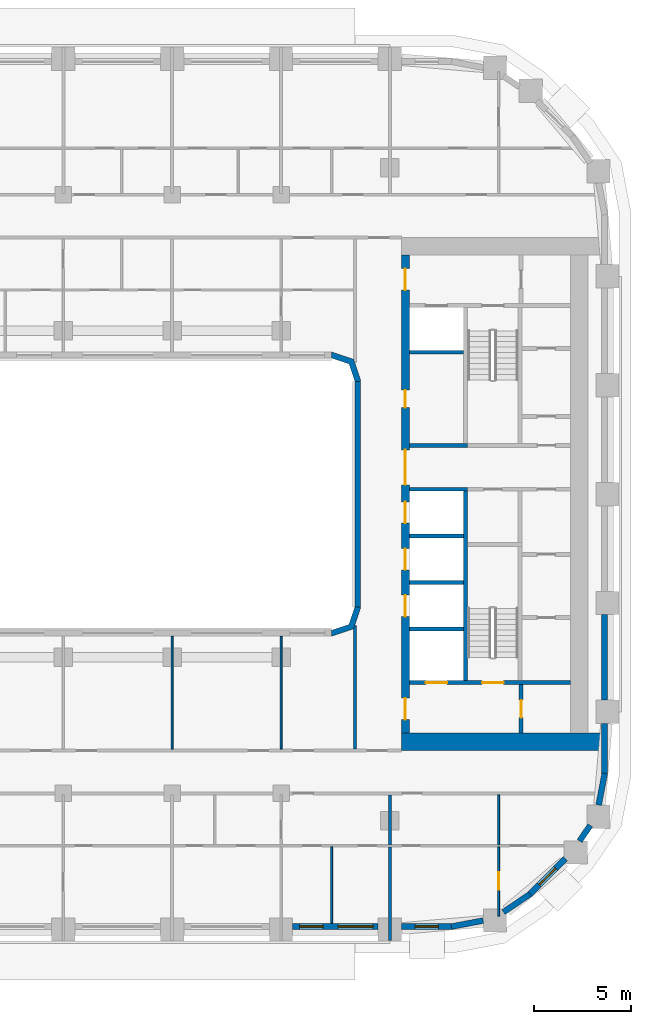
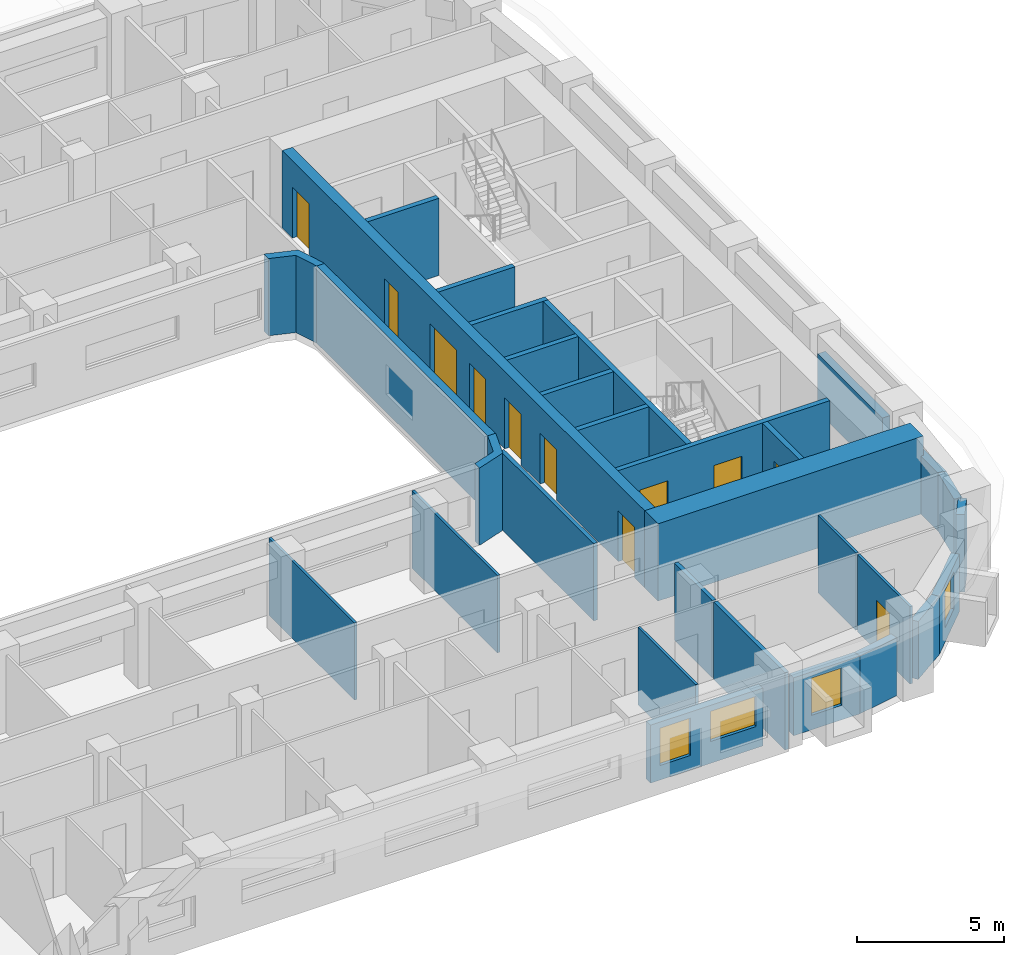
# One storey, part 6 of 22: 31 walls, 11 doors, 4 windows, 15 openings.
"""IFC4 building model written with IfcOpenShell, lengths in metres."""

import ifcopenshell
import ifcopenshell.guid

model = None  # the IFC model being written
_history = None  # IfcOwnerHistory: only IFC2X3 demands one
_inside = {}  # id of a spatial element -> (the spatial element, [elements in it])
_under = {}  # id of a project, library or spatial element -> (it, [spatial elements below it])
_declared = {}  # id of a project -> (the project, [libraries it declares])
_typed = {}  # id of a type object -> (the type object, [elements of that type])
_made_of = {}  # id of a material, layer set ... -> (it, [elements and type objects made of it])


def new_model(schema):
    """Start an empty IFC model of exactly this schema.

    Asked for "IFC4X3", IfcOpenShell would pick the latest addendum, in which some entities
    have other attributes; the version numbers below select the first issue.
    IFC2X3 requires an IfcOwnerHistory on every rooted entity: one is made here for all.
    """
    global model, _history
    if schema == "IFC4X3":
        model = ifcopenshell.file(schema_version=(4, 3, 0, 0))
    else:
        model = ifcopenshell.file(schema=schema)
    _inside.clear()
    _under.clear()
    _declared.clear()
    _typed.clear()
    _made_of.clear()
    _history = None
    if model.schema == "IFC2X3":
        org = make("IfcOrganization", Name="unknown")
        user = make(
            "IfcPersonAndOrganization",
            ThePerson=make("IfcPerson", FamilyName="unknown"),
            TheOrganization=org,
        )
        app = make(
            "IfcApplication",
            ApplicationDeveloper=org,
            Version="unknown",
            ApplicationFullName="unknown",
            ApplicationIdentifier="unknown",
        )
        _history = make(
            "IfcOwnerHistory",
            OwningUser=user,
            OwningApplication=app,
            ChangeAction="ADDED",
            CreationDate=0,
        )
    return model


def make(cls, **values):
    """One entity of the class cls with the attributes given. An attribute that is None is left unset."""
    return model.create_entity(
        cls, **{name: value for name, value in values.items() if value is not None}
    )


def rooted(cls, **values):
    """An entity with a GlobalId (a new one), such as an element, a storey or a relation."""
    return make(cls, GlobalId=ifcopenshell.guid.new(), OwnerHistory=_history, **values)


def si_unit(unit_type, name, prefix=None):
    """IfcSIUnit, for example si_unit("LENGTHUNIT", "METRE", prefix="MILLI")."""
    return make("IfcSIUnit", UnitType=unit_type, Prefix=prefix, Name=name)


def assignment(units):
    """IfcUnitAssignment: the units of a project."""
    return None if units is None else make("IfcUnitAssignment", Units=units)


def point(xyz):
    """IfcCartesianPoint."""
    return None if xyz is None else make("IfcCartesianPoint", Coordinates=xyz)


def direction(xyz):
    """IfcDirection."""
    return None if xyz is None else make("IfcDirection", DirectionRatios=xyz)


def frame(location, z_axis=None, x_axis=None):
    """IfcAxis2Placement3D, a coordinate frame: its origin and axes. An axis left out is left unset."""
    return make(
        "IfcAxis2Placement3D",
        Location=point(location),
        Axis=direction(z_axis),
        RefDirection=direction(x_axis),
    )


def frame_2d(location, x_axis=None):
    """IfcAxis2Placement2D, a coordinate frame in the plane: its origin and x axis."""
    return make(
        "IfcAxis2Placement2D", Location=point(location), RefDirection=direction(x_axis)
    )


def origin():
    """The frame at (0, 0, 0) with its axes left unset."""
    return frame((0.0, 0.0, 0.0))


def place(relative_to, where):
    """IfcLocalPlacement: puts the frame where relative to a parent placement (None: the world)."""
    return make(
        "IfcLocalPlacement", PlacementRelTo=relative_to, RelativePlacement=where
    )


def context(
    kind, dimensions, precision=None, world=None, true_north=None, identifier=None
):
    """IfcGeometricRepresentationContext, for example the 3D "Model" context."""
    return make(
        "IfcGeometricRepresentationContext",
        ContextIdentifier=identifier,
        ContextType=kind,
        CoordinateSpaceDimension=dimensions,
        Precision=precision,
        WorldCoordinateSystem=world,
        TrueNorth=true_north,
    )


def subcontext(parent, identifier, kind, view, scale=None):
    """IfcGeometricRepresentationSubContext, for example "Body" below "Model"."""
    return make(
        "IfcGeometricRepresentationSubContext",
        ContextIdentifier=identifier,
        ContextType=kind,
        ParentContext=parent,
        TargetScale=scale,
        TargetView=view,
    )


def project(units=None, contexts=None):
    """IfcProject with its units and contexts."""
    return rooted(
        "IfcProject",
        Name="project",
        RepresentationContexts=contexts,
        UnitsInContext=assignment(units),
    )


def spatial(cls, under=None, at=None, **own):
    """A site, building, storey or space (cls), placed at a placement, below another one or the project."""
    s = rooted(cls, ObjectPlacement=at, **own)
    if under is not None:
        _under.setdefault(under.id(), (under, []))[1].append(s)
    return s


def polyline(points):
    """IfcPolyline through the points."""
    return make("IfcPolyline", Points=[point(p) for p in points])


def profile(cls, at=None, kind="AREA", **sizes):
    """A parametric profile (cls). Its sizes go by their IFC names, for example OverallWidth=200.0."""
    return make(cls, ProfileType=kind, Position=at, **sizes)


def rectangle(**sizes):
    """IfcRectangleProfileDef."""
    return profile("IfcRectangleProfileDef", **sizes)


def outline(outer, holes=None, kind="AREA"):
    """IfcArbitraryClosedProfileDef: a profile drawn as a closed curve; with holes, ...WithVoids."""
    if holes is None:
        return make("IfcArbitraryClosedProfileDef", ProfileType=kind, OuterCurve=outer)
    return make(
        "IfcArbitraryProfileDefWithVoids",
        ProfileType=kind,
        OuterCurve=outer,
        InnerCurves=holes,
    )


def extrude(swept, where, along, depth):
    """IfcExtrudedAreaSolid: the profile swept, set in the frame where, extruded along a direction by depth."""
    return make(
        "IfcExtrudedAreaSolid",
        SweptArea=swept,
        Position=where,
        ExtrudedDirection=direction(along),
        Depth=depth,
    )


def shape(context_of_items, identifier, shape_type, items):
    """IfcShapeRepresentation: the items that make up one representation, for example the "Body"."""
    return make(
        "IfcShapeRepresentation",
        ContextOfItems=context_of_items,
        RepresentationIdentifier=identifier,
        RepresentationType=shape_type,
        Items=items,
    )


def material(Name=None, Category=None):
    """IfcMaterial."""
    return make("IfcMaterial", Name=Name, Category=Category)


def layer(
    of_material, thickness, ventilated=None, Name=None, Category=None, Priority=None
):
    """IfcMaterialLayer: one layer of a wall or slab, of a material (None: an air gap)."""
    return make(
        "IfcMaterialLayer",
        Material=of_material,
        LayerThickness=thickness,
        IsVentilated=ventilated,
        Name=Name,
        Category=Category,
        Priority=Priority,
    )


def layer_set(layers, Name=None):
    """IfcMaterialLayerSet."""
    return make("IfcMaterialLayerSet", MaterialLayers=layers, LayerSetName=Name)


def made_of(thing, what):
    """Note that an element or type object is made of a material, layer set ...; save() writes the relation."""
    if what is not None:
        _made_of.setdefault(what.id(), (what, []))[1].append(thing)
    return thing


def type_object(cls, material=None, **own):
    """A type object (cls), such as IfcWallType, which elements share."""
    return made_of(rooted(cls, **own), material)


def element(
    cls,
    number,
    at=None,
    inside=None,
    cuts=None,
    type_object=None,
    material=None,
    context=None,
    identifier="Body",
    shape_type=None,
    held_by="IfcProductDefinitionShape",
    body=None,
    shapes=None,
    **own,
):
    """One element of the class cls, such as IfcWall. Its Tag is "e" and its number.

    at: its placement. inside: the storey or other place that contains it. cuts: it is an
    opening in that element (IfcRelVoidsElement). A single representation is given by context,
    identifier, shape_type and body (its items); several are given by shapes. held_by: the class
    of the entity that holds the representations. save() writes the other relations.
    """
    e = rooted(cls, Tag="e%d" % number, ObjectPlacement=at, **own)
    if body is not None:
        shapes = [shape(context, identifier, shape_type, body)]
    if shapes is not None:
        e.Representation = make(held_by, Representations=shapes)
    if inside is not None:
        _inside.setdefault(inside.id(), (inside, []))[1].append(e)
    if cuts is not None:
        rooted(
            "IfcRelVoidsElement", RelatingBuildingElement=cuts, RelatedOpeningElement=e
        )
    if type_object is not None:
        _typed.setdefault(type_object.id(), (type_object, []))[1].append(e)
    return made_of(e, material)


def fill(opening, filler):
    """IfcRelFillsElement: the door or window that sits in an opening."""
    return rooted(
        "IfcRelFillsElement",
        RelatingOpeningElement=opening,
        RelatedBuildingElement=filler,
    )


def aggregate(whole, parts):
    """IfcRelAggregates: a whole, such as a stair, and the parts it consists of."""
    return rooted("IfcRelAggregates", RelatingObject=whole, RelatedObjects=parts)


def save(model, path):
    """Write the relations noted so far, then the file.

    IfcRelAggregates (storeys below a building ...), IfcRelContainedInSpatialStructure (elements
    in a storey), IfcRelDefinesByType, IfcRelAssociatesMaterial and IfcRelDeclares: one each for
    every whole, place, type object, material and project.
    """
    for whole, parts in _under.values():
        aggregate(whole, parts)
    for where, things in _inside.values():
        rooted(
            "IfcRelContainedInSpatialStructure",
            RelatedElements=things,
            RelatingStructure=where,
        )
    for kind, things in _typed.values():
        rooted("IfcRelDefinesByType", RelatedObjects=things, RelatingType=kind)
    for what, things in _made_of.values():
        rooted("IfcRelAssociatesMaterial", RelatedObjects=things, RelatingMaterial=what)
    for by, libraries in _declared.values():
        rooted("IfcRelDeclares", RelatingContext=by, RelatedDefinitions=libraries)
    model.write(path)


model = new_model("IFC4")

# Units and contexts
model_context = context("Model", 3, precision=1e-05, world=origin(), true_north=direction((0.0, 1.0)))
body_context = subcontext(model_context, "Body", "Model", "MODEL_VIEW")
ifc_project = project(units=[si_unit("LENGTHUNIT", "METRE"), si_unit("AREAUNIT", "SQUARE_METRE"), si_unit("VOLUMEUNIT", "CUBIC_METRE"), si_unit("PLANEANGLEUNIT", "RADIAN"), si_unit("MASSUNIT", "GRAM", prefix="KILO")], contexts=[model_context])

# Site, building, storey
site_placement = place(None, origin())
site = spatial("IfcSite", under=ifc_project, at=site_placement, CompositionType="ELEMENT")
building_placement = place(site_placement, origin())
building = spatial("IfcBuilding", under=site, at=building_placement, Name="Kiln Ring Residences", CompositionType="ELEMENT")
storey_placement = place(building_placement, frame((0.0, 0.0, 111.300048828125)))
storey = spatial("IfcBuildingStorey", under=building, at=storey_placement, Name="L28", CompositionType="ELEMENT", Elevation=111.300048828125)

# Wall, opening, door
ifc_material_1 = material(Name="Gypsum board on steel studs", Category="steel")
ifc_layer_1 = layer(ifc_material_1, 0.199951171875)
ifc_layer_set_1 = layer_set([ifc_layer_1], Name="CORE-PARTITION-200")
wall_type_1 = type_object("IfcWallType", Name="CORE-PARTITION-200", PredefinedType="PARTITIONING", material=ifc_layer_set_1)
wall_1_placement = place(storey_placement, frame((23.550048828125, -12.300048828125, 0.0), z_axis=(0.0, 0.0, 1.0), x_axis=(0.0, 1.0, 0.0)))
wall_1 = element("IfcWall", 1, at=wall_1_placement, inside=storey, type_object=wall_type_1, Name="Core partition east L28 4", PredefinedType="PARTITIONING", context=body_context, shape_type="SweptSolid", body=[
    extrude(rectangle(XDim=2.5, YDim=0.199951171875, at=frame_2d((1.25, 0.0))), origin(), (0.0, 0.0, 1.0), 3.199951171875),
])
opening_1_placement = place(wall_1_placement, frame((0.800048828125, 0.0, 0.0)))
opening_1 = element("IfcOpeningElement", 2, at=opening_1_placement, cuts=wall_1, Name="Opening L28-CE10", PredefinedType="OPENING", context=body_context, shape_type="SweptSolid", body=[
    extrude(rectangle(XDim=0.89990234375, YDim=2.10009765625, at=frame_2d((0.449951171875, 1.050048828125))), frame((0.0, 0.10986328125, 0.0), z_axis=(0.0, -1.0, 0.0), x_axis=(1.0, 0.0, 0.0)), (0.0, 0.0, 1.0), 0.219970703125),
])
ifc_material_2 = material(Name="Steel door leaf", Category="steel")
door_type_1 = type_object("IfcDoorType", Name="CORE-DOOR-ROOM", OperationType="SINGLE_SWING_LEFT", PredefinedType="DOOR", material=ifc_material_2)
door_1_placement = place(opening_1_placement, origin())
door_1 = element("IfcDoor", 3, at=door_1_placement, inside=storey, type_object=door_type_1, Name="Store L28-CE10", OperationType="SINGLE_SWING_LEFT", OverallHeight=2.10009765625, OverallWidth=0.89990234375, PredefinedType="DOOR", context=body_context, shape_type="SweptSolid", body=[
    extrude(rectangle(XDim=0.89990234375, YDim=2.10009765625, at=frame_2d((0.449951171875, 1.050048828125))), frame((0.0, 0.02490234375, 0.0), z_axis=(0.0, -1.0, 0.0), x_axis=(1.0, 0.0, 0.0)), (0.0, 0.0, 1.0), 0.050048828125),
])
fill(opening_1, door_1)

# Walls
ifc_material_3 = material(Name="Gypsum shaft wall system")
ifc_layer_2 = layer(ifc_material_3, 0.199951171875)
ifc_layer_set_2 = layer_set([ifc_layer_2], Name="CORE-SHAFT-WALL-200")
wall_type_2 = type_object("IfcWallType", Name="CORE-SHAFT-WALL-200", PredefinedType="PARTITIONING", material=ifc_layer_set_2)
for number, where, z_axis, x_axis, name in (
    (4, (17.800048828125, -6.949951171875, 0.0), (0.0, 0.0, 1.0), (1.0, 0.0, 0.0), "Core partition east L28 9"),
    (5, (17.800048828125, -4.550048828125, 0.0), (0.0, 0.0, 1.0), (1.0, 0.0, 0.0), "Core partition east L28 10"),
    (6, (17.800048828125, -2.14990234375, 0.0), (0.0, 0.0, 1.0), (1.0, 0.0, 0.0), "Core partition east L28 11"),
):
    element("IfcWall", number, at=place(storey_placement, frame(where, z_axis=z_axis, x_axis=x_axis)), inside=storey, type_object=wall_type_2, Name=name, PredefinedType="PARTITIONING", context=body_context, shape_type="SweptSolid", body=[
        extrude(rectangle(XDim=2.800048828125, YDim=0.199951171875, at=frame_2d((1.39990234375, 0.0))), origin(), (0.0, 0.0, 1.0), 3.199951171875),
    ])
for number, where, z_axis, x_axis, name in (
    (7, (17.800048828125, 0.25, 0.0), (0.0, 0.0, 1.0), (1.0, 0.0, 0.0), "Core partition east L28 12"),
    (8, (17.800048828125, 2.5, 0.0), (0.0, 0.0, 1.0), (1.0, 0.0, 0.0), "Core partition east L28 13"),
):
    element("IfcWall", number, at=place(storey_placement, frame(where, z_axis=z_axis, x_axis=x_axis)), inside=storey, type_object=wall_type_2, Name=name, PredefinedType="PARTITIONING", context=body_context, shape_type="SweptSolid", body=[
        extrude(rectangle(XDim=3.0, YDim=0.199951171875, at=frame_2d((1.5, 0.0))), origin(), (0.0, 0.0, 1.0), 3.199951171875),
    ])
wall_2_placement = place(storey_placement, frame((17.800048828125, 7.300048828125, 0.0), z_axis=(0.0, 0.0, 1.0), x_axis=(1.0, 0.0, 0.0)))
element("IfcWall", 9, at=wall_2_placement, inside=storey, type_object=wall_type_2, Name="Core partition east L28 14", PredefinedType="PARTITIONING", context=body_context, shape_type="SweptSolid", body=[
    extrude(rectangle(XDim=2.800048828125, YDim=0.199951171875, at=frame_2d((1.39990234375, 0.0))), origin(), (0.0, 0.0, 1.0), 3.199951171875),
])
ifc_material_4 = material(Name="Concrete C40/50", Category="concrete")
ifc_layer_3 = layer(ifc_material_4, 0.199951171875)
ifc_layer_set_3 = layer_set([ifc_layer_3], Name="CORE-WALL-RC200")
wall_type_3 = type_object("IfcWallType", Name="CORE-WALL-RC200", PredefinedType="SHEAR", material=ifc_layer_set_3)
wall_3_placement = place(storey_placement, frame((20.699951171875, -9.60009765625, 0.0), z_axis=(0.0, 0.0, 1.0), x_axis=(0.0, 1.0, 0.0)))
element("IfcWall", 10, at=wall_3_placement, inside=storey, type_object=wall_type_3, Name="Core wall east L28 2", PredefinedType="SHEAR", context=body_context, shape_type="SweptSolid", body=[
    extrude(rectangle(XDim=9.75, YDim=0.199951171875, at=frame_2d((4.875, 0.0))), origin(), (0.0, 0.0, 1.0), 3.199951171875),
])

# Wall, openings, doors
wall_4_placement = place(storey_placement, frame((17.800048828125, -9.699951171875, 0.0), z_axis=(0.0, 0.0, 1.0), x_axis=(1.0, 0.0, 0.0)))
wall_4 = element("IfcWall", 11, at=wall_4_placement, inside=storey, type_object=wall_type_3, Name="Core wall east L28 8", PredefinedType="SHEAR", context=body_context, shape_type="SweptSolid", body=[
    extrude(rectangle(XDim=8.300048828125, YDim=0.199951171875, at=frame_2d((4.14990234375, 0.0))), origin(), (0.0, 0.0, 1.0), 3.199951171875),
])
opening_2_placement = place(wall_4_placement, frame((0.85009765625, 0.0, 0.0)))
opening_2 = element("IfcOpeningElement", 12, at=opening_2_placement, cuts=wall_4, Name="Opening L28-CE01", PredefinedType="OPENING", context=body_context, shape_type="SweptSolid", body=[
    extrude(rectangle(XDim=1.10009765625, YDim=2.10009765625, at=frame_2d((0.550048828125, 1.050048828125))), frame((0.0, 0.10986328125, 0.0), z_axis=(0.0, -1.0, 0.0), x_axis=(1.0, 0.0, 0.0)), (0.0, 0.0, 1.0), 0.219970703125),
])
opening_3_placement = place(wall_4_placement, frame((3.75, 0.0, 0.0)))
opening_3 = element("IfcOpeningElement", 13, at=opening_3_placement, cuts=wall_4, Name="Opening L28-CE12", PredefinedType="OPENING", context=body_context, shape_type="SweptSolid", body=[
    extrude(rectangle(XDim=1.10009765625, YDim=2.10009765625, at=frame_2d((0.550048828125, 1.050048828125))), frame((0.0, 0.10986328125, 0.0), z_axis=(0.0, -1.0, 0.0), x_axis=(1.0, 0.0, 0.0)), (0.0, 0.0, 1.0), 0.219970703125),
])
ifc_material_5 = material(Name="Steel door leaf", Category="steel")
door_type_2 = type_object("IfcDoorType", Name="CORE-DOOR-LD", OperationType="DOUBLE_DOOR_SLIDING", PredefinedType="DOOR", material=ifc_material_5)
door_2_placement = place(opening_2_placement, origin())
door_2 = element("IfcDoor", 14, at=door_2_placement, inside=storey, type_object=door_type_2, Name="LD E-SV L28-CE01", OperationType="DOUBLE_DOOR_SLIDING", OverallHeight=2.10009765625, OverallWidth=1.10009765625, PredefinedType="DOOR", context=body_context, shape_type="SweptSolid", body=[
    extrude(rectangle(XDim=1.10009765625, YDim=2.10009765625, at=frame_2d((0.550048828125, 1.050048828125))), frame((0.0, 0.02490234375, 0.0), z_axis=(0.0, -1.0, 0.0), x_axis=(1.0, 0.0, 0.0)), (0.0, 0.0, 1.0), 0.050048828125),
])
fill(opening_2, door_2)
ifc_material_6 = material(Name="Steel door leaf", Category="steel")
door_type_3 = type_object("IfcDoorType", Name="CORE-DOOR-STAIR", OperationType="SINGLE_SWING_LEFT", PredefinedType="DOOR", material=ifc_material_6)
door_3_placement = place(opening_3_placement, origin())
door_3 = element("IfcDoor", 15, at=door_3_placement, inside=storey, type_object=door_type_3, Name="Stair E-STS L28-CE12", OperationType="SINGLE_SWING_RIGHT", OverallHeight=2.10009765625, OverallWidth=1.10009765625, PredefinedType="DOOR", context=body_context, shape_type="SweptSolid", body=[
    extrude(rectangle(XDim=1.10009765625, YDim=2.10009765625, at=frame_2d((0.550048828125, 1.050048828125))), frame((0.0, 0.02490234375, 0.0), z_axis=(0.0, -1.0, 0.0), x_axis=(1.0, 0.0, 0.0)), (0.0, 0.0, 1.0), 0.050048828125),
])
fill(opening_3, door_3)

ifc_material_7 = material(Name="Concrete C60/75", Category="concrete")
ifc_layer_4 = layer(ifc_material_7, 0.39990234375)
ifc_layer_set_4 = layer_set([ifc_layer_4], Name="CORE-WALL-RC400")
wall_type_4 = type_object("IfcWallType", Name="CORE-WALL-RC400", PredefinedType="SHEAR", material=ifc_layer_set_4)
wall_5_placement = place(storey_placement, frame((17.60009765625, -12.300048828125, 0.0), z_axis=(0.0, 0.0, 1.0), x_axis=(0.0, 1.0, 0.0)))
wall_5 = element("IfcWall", 16, at=wall_5_placement, inside=storey, type_object=wall_type_4, Name="Core wall east L28 6", PredefinedType="SHEAR", context=body_context, shape_type="SweptSolid", body=[
    extrude(rectangle(XDim=24.60009765625, YDim=0.39990234375, at=frame_2d((12.300048828125, 0.0))), origin(), (0.0, 0.0, 1.0), 3.199951171875),
])
opening_4_placement = place(wall_5_placement, frame((6.0, 0.0, 0.0)))
opening_4 = element("IfcOpeningElement", 17, at=opening_4_placement, cuts=wall_5, Name="Opening L28-CE02", PredefinedType="OPENING", context=body_context, shape_type="SweptSolid", body=[
    extrude(rectangle(XDim=1.10009765625, YDim=2.10009765625, at=frame_2d((0.550048828125, 1.050048828125))), frame((0.0, 0.2099609375, 0.0), z_axis=(0.0, -1.0, 0.0), x_axis=(1.0, 0.0, 0.0)), (0.0, 0.0, 1.0), 0.419921875),
])
opening_5_placement = place(wall_5_placement, frame((8.39990234375, 0.0, 0.0)))
opening_5 = element("IfcOpeningElement", 18, at=opening_5_placement, cuts=wall_5, Name="Opening L28-CE03", PredefinedType="OPENING", context=body_context, shape_type="SweptSolid", body=[
    extrude(rectangle(XDim=1.10009765625, YDim=2.10009765625, at=frame_2d((0.550048828125, 1.050048828125))), frame((0.0, 0.2099609375, 0.0), z_axis=(0.0, -1.0, 0.0), x_axis=(1.0, 0.0, 0.0)), (0.0, 0.0, 1.0), 0.419921875),
])
opening_6_placement = place(wall_5_placement, frame((10.800048828125, 0.0, 0.0)))
opening_6 = element("IfcOpeningElement", 19, at=opening_6_placement, cuts=wall_5, Name="Opening L28-CE04", PredefinedType="OPENING", context=body_context, shape_type="SweptSolid", body=[
    extrude(rectangle(XDim=1.10009765625, YDim=2.10009765625, at=frame_2d((0.550048828125, 1.050048828125))), frame((0.0, 0.2099609375, 0.0), z_axis=(0.0, -1.0, 0.0), x_axis=(1.0, 0.0, 0.0)), (0.0, 0.0, 1.0), 0.419921875),
])
opening_7_placement = place(wall_5_placement, frame((16.75, 0.0, 0.0)))
opening_7 = element("IfcOpeningElement", 20, at=opening_7_placement, cuts=wall_5, Name="Opening L28-CE05", PredefinedType="OPENING", context=body_context, shape_type="SweptSolid", body=[
    extrude(rectangle(XDim=0.89990234375, YDim=2.10009765625, at=frame_2d((0.449951171875, 1.050048828125))), frame((0.0, 0.2099609375, 0.0), z_axis=(0.0, -1.0, 0.0), x_axis=(1.0, 0.0, 0.0)), (0.0, 0.0, 1.0), 0.419921875),
])
opening_8_placement = place(wall_5_placement, frame((22.800048828125, 0.0, 0.0)))
opening_8 = element("IfcOpeningElement", 21, at=opening_8_placement, cuts=wall_5, Name="Opening L28-CE07", PredefinedType="OPENING", context=body_context, shape_type="SweptSolid", body=[
    extrude(rectangle(XDim=1.10009765625, YDim=2.10009765625, at=frame_2d((0.550048828125, 1.050048828125))), frame((0.0, 0.2099609375, 0.0), z_axis=(0.0, -1.0, 0.0), x_axis=(1.0, 0.0, 0.0)), (0.0, 0.0, 1.0), 0.419921875),
])
opening_9_placement = place(wall_5_placement, frame((0.699951171875, 0.0, 0.0)))
opening_9 = element("IfcOpeningElement", 22, at=opening_9_placement, cuts=wall_5, Name="Opening L28-CE08", PredefinedType="OPENING", context=body_context, shape_type="SweptSolid", body=[
    extrude(rectangle(XDim=1.10009765625, YDim=2.10009765625, at=frame_2d((0.550048828125, 1.050048828125))), frame((0.0, 0.2099609375, 0.0), z_axis=(0.0, -1.0, 0.0), x_axis=(1.0, 0.0, 0.0)), (0.0, 0.0, 1.0), 0.419921875),
])
opening_10_placement = place(wall_5_placement, frame((12.77490234375, 0.0, 0.0)))
opening_10 = element("IfcOpeningElement", 23, at=opening_10_placement, cuts=wall_5, Name="Opening L28-CE13", PredefinedType="OPENING", context=body_context, shape_type="SweptSolid", body=[
    extrude(rectangle(XDim=1.800048828125, YDim=2.10009765625, at=frame_2d((0.89990234375, 1.050048828125))), frame((0.0, 0.2099609375, 0.0), z_axis=(0.0, -1.0, 0.0), x_axis=(1.0, 0.0, 0.0)), (0.0, 0.0, 1.0), 0.419921875),
])
door_4_placement = place(opening_4_placement, origin())
door_4 = element("IfcDoor", 24, at=door_4_placement, inside=storey, type_object=door_type_2, Name="LD E-L1 L28-CE02", OperationType="DOUBLE_DOOR_SLIDING", OverallHeight=2.10009765625, OverallWidth=1.10009765625, PredefinedType="DOOR", context=body_context, shape_type="SweptSolid", body=[
    extrude(rectangle(XDim=1.10009765625, YDim=2.10009765625, at=frame_2d((0.550048828125, 1.050048828125))), frame((0.0, 0.02490234375, 0.0), z_axis=(0.0, -1.0, 0.0), x_axis=(1.0, 0.0, 0.0)), (0.0, 0.0, 1.0), 0.050048828125),
])
fill(opening_4, door_4)
door_5_placement = place(opening_5_placement, origin())
door_5 = element("IfcDoor", 25, at=door_5_placement, inside=storey, type_object=door_type_2, Name="LD E-L2 L28-CE03", OperationType="DOUBLE_DOOR_SLIDING", OverallHeight=2.10009765625, OverallWidth=1.10009765625, PredefinedType="DOOR", context=body_context, shape_type="SweptSolid", body=[
    extrude(rectangle(XDim=1.10009765625, YDim=2.10009765625, at=frame_2d((0.550048828125, 1.050048828125))), frame((0.0, 0.02490234375, 0.0), z_axis=(0.0, -1.0, 0.0), x_axis=(1.0, 0.0, 0.0)), (0.0, 0.0, 1.0), 0.050048828125),
])
fill(opening_5, door_5)
door_6_placement = place(opening_6_placement, origin())
door_6 = element("IfcDoor", 26, at=door_6_placement, inside=storey, type_object=door_type_2, Name="LD E-L3 L28-CE04", OperationType="DOUBLE_DOOR_SLIDING", OverallHeight=2.10009765625, OverallWidth=1.10009765625, PredefinedType="DOOR", context=body_context, shape_type="SweptSolid", body=[
    extrude(rectangle(XDim=1.10009765625, YDim=2.10009765625, at=frame_2d((0.550048828125, 1.050048828125))), frame((0.0, 0.02490234375, 0.0), z_axis=(0.0, -1.0, 0.0), x_axis=(1.0, 0.0, 0.0)), (0.0, 0.0, 1.0), 0.050048828125),
])
fill(opening_6, door_6)
ifc_material_8 = material(Name="Steel door leaf", Category="steel")
door_type_4 = type_object("IfcDoorType", Name="CORE-DOOR-LOBBY", OperationType="SINGLE_SWING_LEFT", PredefinedType="DOOR", material=ifc_material_8)
door_7_placement = place(opening_8_placement, origin())
door_7 = element("IfcDoor", 27, at=door_7_placement, inside=storey, type_object=door_type_4, Name="FFL L28-CE07", OperationType="SINGLE_SWING_LEFT", OverallHeight=2.10009765625, OverallWidth=1.10009765625, PredefinedType="DOOR", context=body_context, shape_type="SweptSolid", body=[
    extrude(rectangle(XDim=1.10009765625, YDim=2.10009765625, at=frame_2d((0.550048828125, 1.050048828125))), frame((0.0, 0.02490234375, 0.0), z_axis=(0.0, -1.0, 0.0), x_axis=(1.0, 0.0, 0.0)), (0.0, 0.0, 1.0), 0.050048828125),
])
fill(opening_8, door_7)
door_8_placement = place(opening_9_placement, origin())
door_8 = element("IfcDoor", 28, at=door_8_placement, inside=storey, type_object=door_type_4, Name="SVL L28-CE08", OperationType="SINGLE_SWING_RIGHT", OverallHeight=2.10009765625, OverallWidth=1.10009765625, PredefinedType="DOOR", context=body_context, shape_type="SweptSolid", body=[
    extrude(rectangle(XDim=1.10009765625, YDim=2.10009765625, at=frame_2d((0.550048828125, 1.050048828125))), frame((0.0, 0.02490234375, 0.0), z_axis=(0.0, -1.0, 0.0), x_axis=(1.0, 0.0, 0.0)), (0.0, 0.0, 1.0), 0.050048828125),
])
fill(opening_9, door_8)
ifc_material_9 = material(Name="Steel door leaf", Category="steel")
door_type_5 = type_object("IfcDoorType", Name="CORE-DOOR-PASS", OperationType="DOUBLE_DOOR_SINGLE_SWING", PredefinedType="DOOR", material=ifc_material_9)
door_9_placement = place(opening_10_placement, origin())
door_9 = element("IfcDoor", 29, at=door_9_placement, inside=storey, type_object=door_type_5, Name="Core passage L28-CE13", OperationType="DOUBLE_DOOR_SINGLE_SWING", OverallHeight=2.10009765625, OverallWidth=1.800048828125, PredefinedType="DOOR", context=body_context, shape_type="SweptSolid", body=[
    extrude(rectangle(XDim=1.800048828125, YDim=2.10009765625, at=frame_2d((0.89990234375, 1.050048828125))), frame((0.0, 0.02490234375, 0.0), z_axis=(0.0, -1.0, 0.0), x_axis=(1.0, 0.0, 0.0)), (0.0, 0.0, 1.0), 0.050048828125),
])
fill(opening_10, door_9)
door_10_placement = place(opening_7_placement, origin())
door_10 = element("IfcDoor", 30, at=door_10_placement, inside=storey, type_object=door_type_1, Name="Housekeeping store L28-CE05", OperationType="SINGLE_SWING_RIGHT", OverallHeight=2.10009765625, OverallWidth=0.89990234375, PredefinedType="DOOR", context=body_context, shape_type="SweptSolid", body=[
    extrude(rectangle(XDim=0.89990234375, YDim=2.10009765625, at=frame_2d((0.449951171875, 1.050048828125))), frame((0.0, 0.02490234375, 0.0), z_axis=(0.0, -1.0, 0.0), x_axis=(1.0, 0.0, 0.0)), (0.0, 0.0, 1.0), 0.050048828125),
])
fill(opening_7, door_10)

# Wall
ifc_material_10 = material(Name="Concrete C60/75", Category="concrete")
ifc_layer_5 = layer(ifc_material_10, 0.89990234375)
ifc_layer_set_5 = layer_set([ifc_layer_5], Name="CORE-WALL-RC900")
wall_type_5 = type_object("IfcWallType", Name="CORE-WALL-RC900", PredefinedType="SHEAR", material=ifc_layer_set_5)
wall_6_placement = place(storey_placement, frame((17.39990234375, -12.75, 0.0), z_axis=(0.0, 0.0, 1.0), x_axis=(1.0, 0.0, 0.0)))
element("IfcWall", 31, at=wall_6_placement, inside=storey, type_object=wall_type_5, Name="Core wall east L28 5", PredefinedType="SHEAR", context=body_context, shape_type="SweptSolid", body=[
    extrude(rectangle(XDim=10.400146484375, YDim=0.89990234375, at=frame_2d((5.2001953125, 0.0))), origin(), (0.0, 0.0, 1.0), 3.199951171875),
])

# Wall, openings, windows
ifc_material_11 = material(Name="Brick masonry, dark clay brick", Category="masonry")
ifc_layer_6 = layer(ifc_material_11, 0.300048828125)
ifc_layer_set_6 = layer_set([ifc_layer_6], Name="EW-300 BRICK WALL")
wall_type_6 = type_object("IfcWallType", Name="EW-300 BRICK WALL", PredefinedType="SOLIDWALL", material=ifc_layer_set_6)
wall_7_placement = place(storey_placement, frame((11.800048828125, -22.25, 0.0), z_axis=(0.0, 0.0, 1.0), x_axis=(1.0, 0.0, 0.0)))
wall_7 = element("IfcWall", 32, at=wall_7_placement, inside=storey, type_object=wall_type_6, Name="Facade wall L28 10", PredefinedType="SOLIDWALL", context=body_context, shape_type="SweptSolid", body=[
    extrude(rectangle(XDim=4.39990234375, YDim=0.300048828125, at=frame_2d((2.199951171875, 0.0))), origin(), (0.0, 0.0, 1.0), 2.39990234375),
])
opening_11_placement = place(wall_7_placement, frame((0.362548828125, 0.0, 0.60009765625)))
opening_11 = element("IfcOpeningElement", 33, at=opening_11_placement, cuts=wall_7, Name="Opening W1", PredefinedType="OPENING", context=body_context, shape_type="SweptSolid", body=[
    extrude(rectangle(XDim=1.199951171875, YDim=1.550048828125, at=frame_2d((0.60009765625, 0.77490234375))), frame((0.0, 0.159912109375, 0.0), z_axis=(0.0, -1.0, 0.0), x_axis=(1.0, 0.0, 0.0)), (0.0, 0.0, 1.0), 0.320068359375),
])
opening_12_placement = place(wall_7_placement, frame((2.33740234375, 0.0, 0.89990234375)))
opening_12 = element("IfcOpeningElement", 34, at=opening_12_placement, cuts=wall_7, Name="Opening W2", PredefinedType="OPENING", context=body_context, shape_type="SweptSolid", body=[
    extrude(rectangle(XDim=1.800048828125, YDim=1.25, at=frame_2d((0.89990234375, 0.625))), frame((0.0, 0.159912109375, 0.0), z_axis=(0.0, -1.0, 0.0), x_axis=(1.0, 0.0, 0.0)), (0.0, 0.0, 1.0), 0.320068359375),
])
ifc_material_12 = material(Name="Aluminium frame with double glazing", Category="aluminium")
window_type_1 = type_object("IfcWindowType", Name="WINDOW 1200 x 1550", PartitioningType="SINGLE_PANEL", PredefinedType="WINDOW", material=ifc_material_12)
window_1_placement = place(opening_11_placement, origin())
window_1 = element("IfcWindow", 35, at=window_1_placement, inside=storey, type_object=window_type_1, Name="Window L28 9", OverallHeight=1.550048828125, OverallWidth=1.199951171875, PartitioningType="SINGLE_PANEL", PredefinedType="WINDOW", context=body_context, shape_type="SweptSolid", body=[
    extrude(rectangle(XDim=1.199951171875, YDim=1.550048828125, at=frame_2d((0.60009765625, 0.77490234375))), frame((0.0, 0.030029296875, 0.0), z_axis=(0.0, -1.0, 0.0), x_axis=(1.0, 0.0, 0.0)), (0.0, 0.0, 1.0), 0.06005859375),
])
fill(opening_11, window_1)
ifc_material_13 = material(Name="Aluminium frame with double glazing", Category="aluminium")
window_type_2 = type_object("IfcWindowType", Name="WINDOW 1800 x 1250", PartitioningType="SINGLE_PANEL", PredefinedType="WINDOW", material=ifc_material_13)
window_2_placement = place(opening_12_placement, origin())
window_2 = element("IfcWindow", 36, at=window_2_placement, inside=storey, type_object=window_type_2, Name="Window L28 10", OverallHeight=1.25, OverallWidth=1.800048828125, PartitioningType="SINGLE_PANEL", PredefinedType="WINDOW", context=body_context, shape_type="SweptSolid", body=[
    extrude(rectangle(XDim=1.800048828125, YDim=1.25, at=frame_2d((0.89990234375, 0.625))), frame((0.0, 0.030029296875, 0.0), z_axis=(0.0, -1.0, 0.0), x_axis=(1.0, 0.0, 0.0)), (0.0, 0.0, 1.0), 0.06005859375),
])
fill(opening_12, window_2)

# Wall, opening, window
wall_8_placement = place(storey_placement, frame((17.39990234375, -22.25, 0.0), z_axis=(0.0, 0.0, 1.0), x_axis=(1.0, 0.0, 0.0)))
wall_8 = element("IfcWall", 37, at=wall_8_placement, inside=storey, type_object=wall_type_6, Name="Facade wall L28 11", PredefinedType="SOLIDWALL", context=body_context, shape_type="SweptSolid", body=[
    extrude(rectangle(XDim=2.60009765625, YDim=0.300048828125, at=frame_2d((1.300048828125, 0.0))), origin(), (0.0, 0.0, 1.0), 2.39990234375),
])
opening_13_placement = place(wall_8_placement, frame((0.699951171875, 0.0, 0.60009765625)))
opening_13 = element("IfcOpeningElement", 38, at=opening_13_placement, cuts=wall_8, Name="Opening W1", PredefinedType="OPENING", context=body_context, shape_type="SweptSolid", body=[
    extrude(rectangle(XDim=1.199951171875, YDim=1.550048828125, at=frame_2d((0.60009765625, 0.77490234375))), frame((0.0, 0.159912109375, 0.0), z_axis=(0.0, -1.0, 0.0), x_axis=(1.0, 0.0, 0.0)), (0.0, 0.0, 1.0), 0.320068359375),
])
window_3_placement = place(opening_13_placement, origin())
window_3 = element("IfcWindow", 39, at=window_3_placement, inside=storey, type_object=window_type_1, Name="Window L28 11", OverallHeight=1.550048828125, OverallWidth=1.199951171875, PartitioningType="SINGLE_PANEL", PredefinedType="WINDOW", context=body_context, shape_type="SweptSolid", body=[
    extrude(rectangle(XDim=1.199951171875, YDim=1.550048828125, at=frame_2d((0.60009765625, 0.77490234375))), frame((0.0, 0.030029296875, 0.0), z_axis=(0.0, -1.0, 0.0), x_axis=(1.0, 0.0, 0.0)), (0.0, 0.0, 1.0), 0.06005859375),
])
fill(opening_13, window_3)

# Walls
for number, where, z_axis, x_axis, name in (
    (40, (19.971923828125, -22.252685546875, 0.0), (0.0, 0.0, 1.0), (0.98228820662, 0.187376303559, 0.0), "Facade wall L28 12"),
    (41, (22.64306640625, -21.509765625, 0.0), (0.0, 0.0, 1.0), (0.827049873329, 0.562128550268, 0.0), "Facade wall L28 13"),
):
    element("IfcWall", number, at=place(storey_placement, frame(where, z_axis=z_axis, x_axis=x_axis)), inside=storey, type_object=wall_type_6, Name=name, PredefinedType="SOLIDWALL", context=body_context, shape_type="SweptSolid", body=[
        extrude(rectangle(XDim=1.656005859375, YDim=0.300048828125, at=frame_2d((0.828125, 0.0))), origin(), (0.0, 0.0, 1.0), 2.39990234375),
    ])

# Wall, opening, window
wall_9_placement = place(storey_placement, frame((23.990966796875, -20.596923828125, 0.0), z_axis=(0.0, 0.0, 1.0), x_axis=(0.707106781187, 0.707106781187, 0.0)))
wall_9 = element("IfcWall", 42, at=wall_9_placement, inside=storey, type_object=wall_type_6, Name="Facade wall L28 14", PredefinedType="SOLIDWALL", context=body_context, shape_type="SweptSolid", body=[
    extrude(rectangle(XDim=2.60009765625, YDim=0.300048828125, at=frame_2d((1.300048828125, 0.0))), origin(), (0.0, 0.0, 1.0), 2.39990234375),
])
opening_14_placement = place(wall_9_placement, frame((0.699951171875, 0.0, 0.60009765625)))
opening_14 = element("IfcOpeningElement", 43, at=opening_14_placement, cuts=wall_9, Name="Opening W1", PredefinedType="OPENING", context=body_context, shape_type="SweptSolid", body=[
    extrude(rectangle(XDim=1.199951171875, YDim=1.550048828125, at=frame_2d((0.60009765625, 0.77490234375))), frame((0.0, 0.159912109375, 0.0), z_axis=(0.0, -1.0, 0.0), x_axis=(1.0, 0.0, 0.0)), (0.0, 0.0, 1.0), 0.320068359375),
])
window_4_placement = place(opening_14_placement, origin())
window_4 = element("IfcWindow", 44, at=window_4_placement, inside=storey, type_object=window_type_1, Name="Window L28 12", OverallHeight=1.550048828125, OverallWidth=1.199951171875, PartitioningType="SINGLE_PANEL", PredefinedType="WINDOW", context=body_context, shape_type="SweptSolid", body=[
    extrude(rectangle(XDim=1.199951171875, YDim=1.550048828125, at=frame_2d((0.60009765625, 0.77490234375))), frame((0.0, 0.030029296875, 0.0), z_axis=(0.0, -1.0, 0.0), x_axis=(1.0, 0.0, 0.0)), (0.0, 0.0, 1.0), 0.06005859375),
])
fill(opening_14, window_4)

# Walls
wall_10_placement = place(storey_placement, frame((26.560546875, -17.85107421875, 0.0), z_axis=(0.0, 0.0, 1.0), x_axis=(0.562173331661, 0.827019434577, 0.0)))
element("IfcWall", 45, at=wall_10_placement, inside=storey, type_object=wall_type_6, Name="Facade wall L28 15", PredefinedType="SOLIDWALL", context=body_context, shape_type="SweptSolid", body=[
    extrude(rectangle(XDim=0.97705078125, YDim=0.300048828125, at=frame_2d((0.488525390625, 0.0))), origin(), (0.0, 0.0, 1.0), 3.199951171875),
])
wall_11_placement = place(storey_placement, frame((27.542236328125, -15.998779296875, 0.0), z_axis=(0.0, 0.0, 1.0), x_axis=(0.187349172861, 0.982293381546, 0.0)))
element("IfcWall", 46, at=wall_11_placement, inside=storey, type_object=wall_type_6, Name="Facade wall L28 16", PredefinedType="SOLIDWALL", context=body_context, shape_type="SweptSolid", body=[
    extrude(rectangle(XDim=1.65625, YDim=0.300048828125, at=frame_2d((0.828125, 0.0))), origin(), (0.0, 0.0, 1.0), 2.39990234375),
])
wall_12_placement = place(storey_placement, frame((27.85009765625, -14.39990234375, 0.0), z_axis=(0.0, 0.0, 1.0), x_axis=(0.0, 1.0, 0.0)))
element("IfcWall", 47, at=wall_12_placement, inside=storey, type_object=wall_type_6, Name="Facade wall L28 17", PredefinedType="SOLIDWALL", context=body_context, shape_type="SweptSolid", body=[
    extrude(rectangle(XDim=2.599853515625, YDim=0.300048828125, at=frame_2d((1.2998046875, 0.0))), origin(), (0.0, 0.0, 1.0), 2.39990234375),
])
wall_13_placement = place(storey_placement, frame((27.85009765625, -10.60009765625, 0.0), z_axis=(0.0, 0.0, 1.0), x_axis=(0.0, 1.0, 0.0)))
element("IfcWall", 48, at=wall_13_placement, inside=storey, type_object=wall_type_6, Name="Facade wall L28 18", PredefinedType="SOLIDWALL", context=body_context, shape_type="SweptSolid", body=[
    extrude(rectangle(XDim=4.400146484375, YDim=0.300048828125, at=frame_2d((2.2001953125, 0.0))), origin(), (0.0, 0.0, 1.0), 2.39990234375),
])
wall_14_placement = place(storey_placement, frame((15.14990234375, 5.800048828125, 0.0), z_axis=(0.0, 0.0, 1.0), x_axis=(0.0, -1.0, 0.0)))
element("IfcWall", 49, at=wall_14_placement, inside=storey, type_object=wall_type_6, Name="Facade wall L28 51", PredefinedType="SOLIDWALL", context=body_context, shape_type="SweptSolid", body=[
    extrude(rectangle(XDim=11.60009765625, YDim=0.300048828125, at=frame_2d((5.800048828125, 0.0))), origin(), (0.0, 0.0, 1.0), 3.199951171875),
])
placement = place(storey_placement, origin())
element("IfcWall", 50, at=placement, inside=storey, type_object=wall_type_6, Name="Corner wall L28 2", PredefinedType="SOLIDWALL", context=body_context, shape_type="SweptSolid", body=[
    extrude(outline(polyline([(14.937255859375, 6.937255859375), (13.8486328125, 7.300048828125), (13.800048828125, 7.300048828125), (13.800048828125, 7.0), (14.699951171875, 6.699951171875), (15.0, 5.800048828125), (15.300048828125, 5.800048828125), (15.300048828125, 5.8486328125), (14.937255859375, 6.937255859375)])), origin(), (0.0, 0.0, 1.0), 3.199951171875),
])
element("IfcWall", 51, at=placement, inside=storey, type_object=wall_type_6, Name="Corner wall L28 3", PredefinedType="SOLIDWALL", context=body_context, shape_type="SweptSolid", body=[
    extrude(outline(polyline([(14.937255859375, -6.937255859375), (15.300048828125, -5.8486328125), (15.300048828125, -5.800048828125), (15.0, -5.800048828125), (14.699951171875, -6.699951171875), (13.800048828125, -7.0), (13.800048828125, -7.300048828125), (13.8486328125, -7.300048828125), (14.937255859375, -6.937255859375)])), origin(), (0.0, 0.0, 1.0), 3.199951171875),
])
ifc_material_14 = material(Name="Gypsum board on steel studs", Category="steel")
ifc_layer_7 = layer(ifc_material_14, 0.10009765625)
ifc_layer_set_7 = layer_set([ifc_layer_7], Name="PARTITION-100")
wall_type_7 = type_object("IfcWallType", Name="PARTITION-100", PredefinedType="PARTITIONING", material=ifc_layer_set_7)
for number, where, z_axis, x_axis, name in (
    (52, (5.60009765625, -13.125, 0.0), (0.0, 0.0, 1.0), (0.0, 1.0, 0.0), "Partition 044"),
    (53, (11.199951171875, -13.125, 0.0), (0.0, 0.0, 1.0), (0.0, 1.0, 0.0), "Partition 055"),
):
    element("IfcWall", number, at=place(storey_placement, frame(where, z_axis=z_axis, x_axis=x_axis)), inside=storey, type_object=wall_type_7, Name=name, PredefinedType="PARTITIONING", context=body_context, shape_type="SweptSolid", body=[
        extrude(rectangle(XDim=5.804931640625, YDim=0.10009765625, at=frame_2d((2.90234375, 0.0))), origin(), (0.0, 0.0, 1.0), 3.199951171875),
    ])
wall_17_placement = place(storey_placement, frame((13.800048828125, -22.080078125, 0.0), z_axis=(0.0, 0.0, 1.0), x_axis=(0.0, 1.0, 0.0)))
element("IfcWall", 54, at=wall_17_placement, inside=storey, type_object=wall_type_7, Name="Partition 060", PredefinedType="PARTITIONING", context=body_context, shape_type="SweptSolid", body=[
    extrude(rectangle(XDim=3.93017578125, YDim=0.10009765625, at=frame_2d((1.965087890625, 0.0))), origin(), (0.0, 0.0, 1.0), 3.199951171875),
])

# Wall, opening, door
wall_18_placement = place(storey_placement, frame((22.39990234375, -21.719970703125, 0.0), z_axis=(0.0, 0.0, 1.0), x_axis=(0.0, 1.0, 0.0)))
wall_18 = element("IfcWall", 55, at=wall_18_placement, inside=storey, type_object=wall_type_7, Name="Partition 068", PredefinedType="PARTITIONING", context=body_context, shape_type="SweptSolid", body=[
    extrude(rectangle(XDim=3.570068359375, YDim=0.10009765625, at=frame_2d((1.78515625, 0.0))), origin(), (0.0, 0.0, 1.0), 3.199951171875),
])
opening_15_placement = place(wall_18_placement, frame((1.3720703125, 0.0, 0.0)))
opening_15 = element("IfcOpeningElement", 56, at=opening_15_placement, cuts=wall_18, Name="Opening L28-D072", PredefinedType="OPENING", context=body_context, shape_type="SweptSolid", body=[
    extrude(rectangle(XDim=0.89990234375, YDim=2.10009765625, at=frame_2d((0.449951171875, 1.050048828125))), frame((0.0, 0.06005859375, 0.0), z_axis=(0.0, -1.0, 0.0), x_axis=(1.0, 0.0, 0.0)), (0.0, 0.0, 1.0), 0.1201171875),
])
ifc_material_15 = material(Name="Timber door leaf", Category="wood")
door_type_6 = type_object("IfcDoorType", Name="FLAT-DOOR-900-PL", OperationType="SINGLE_SWING_LEFT", PredefinedType="DOOR", material=ifc_material_15)
door_11_placement = place(opening_15_placement, origin())
door_11 = element("IfcDoor", 57, at=door_11_placement, inside=storey, type_object=door_type_6, Name="Door L28-D072", OperationType="SINGLE_SWING_RIGHT", OverallHeight=2.10009765625, OverallWidth=0.89990234375, PredefinedType="DOOR", context=body_context, shape_type="SweptSolid", body=[
    extrude(rectangle(XDim=0.89990234375, YDim=2.10009765625, at=frame_2d((0.449951171875, 1.050048828125))), frame((0.0, 0.02490234375, 0.0), z_axis=(0.0, -1.0, 0.0), x_axis=(1.0, 0.0, 0.0)), (0.0, 0.0, 1.0), 0.050048828125),
])
fill(opening_15, door_11)

# Walls
wall_19_placement = place(storey_placement, frame((22.39990234375, -18.050048828125, 0.0), z_axis=(0.0, 0.0, 1.0), x_axis=(0.0, 1.0, 0.0)))
element("IfcWall", 58, at=wall_19_placement, inside=storey, type_object=wall_type_7, Name="Partition 069", PredefinedType="PARTITIONING", context=body_context, shape_type="SweptSolid", body=[
    extrude(rectangle(XDim=2.574951171875, YDim=0.10009765625, at=frame_2d((1.28759765625, 0.0))), origin(), (0.0, 0.0, 1.0), 3.199951171875),
])
ifc_material_16 = material(Name="Brick masonry partition", Category="masonry")
ifc_layer_8 = layer(ifc_material_16, 0.14990234375)
ifc_layer_set_8 = layer_set([ifc_layer_8], Name="PARTITION-150-ei60")
wall_type_8 = type_object("IfcWallType", Name="PARTITION-150-ei60", PredefinedType="PARTITIONING", material=ifc_layer_set_8)
wall_20_placement = place(storey_placement, frame((15.0, -13.125, 0.0), z_axis=(0.0, 0.0, 1.0), x_axis=(0.0, 1.0, 0.0)))
element("IfcWall", 59, at=wall_20_placement, inside=storey, type_object=wall_type_8, Name="Partition 062", PredefinedType="PARTITIONING", context=body_context, shape_type="SweptSolid", body=[
    extrude(rectangle(XDim=6.356201171875, YDim=0.14990234375, at=frame_2d((3.17822265625, 0.0))), origin(), (0.0, 0.0, 1.0), 3.199951171875),
])
wall_21_placement = place(storey_placement, frame((16.800048828125, -22.97998046875, 0.0), z_axis=(0.0, 0.0, 1.0), x_axis=(0.0, 1.0, 0.0)))
element("IfcWall", 60, at=wall_21_placement, inside=storey, type_object=wall_type_8, Name="Partition 064", PredefinedType="PARTITIONING", context=body_context, shape_type="SweptSolid", body=[
    extrude(rectangle(XDim=4.830078125, YDim=0.14990234375, at=frame_2d((2.4150390625, 0.0))), origin(), (0.0, 0.0, 1.0), 3.199951171875),
])
wall_22_placement = place(storey_placement, frame((16.800048828125, -18.050048828125, 0.0), z_axis=(0.0, 0.0, 1.0), x_axis=(0.0, 1.0, 0.0)))
element("IfcWall", 61, at=wall_22_placement, inside=storey, type_object=wall_type_8, Name="Partition 065", PredefinedType="PARTITIONING", context=body_context, shape_type="SweptSolid", body=[
    extrude(rectangle(XDim=2.574951171875, YDim=0.14990234375, at=frame_2d((1.28759765625, 0.0))), origin(), (0.0, 0.0, 1.0), 3.199951171875),
])

save(model, "model.ifc")
